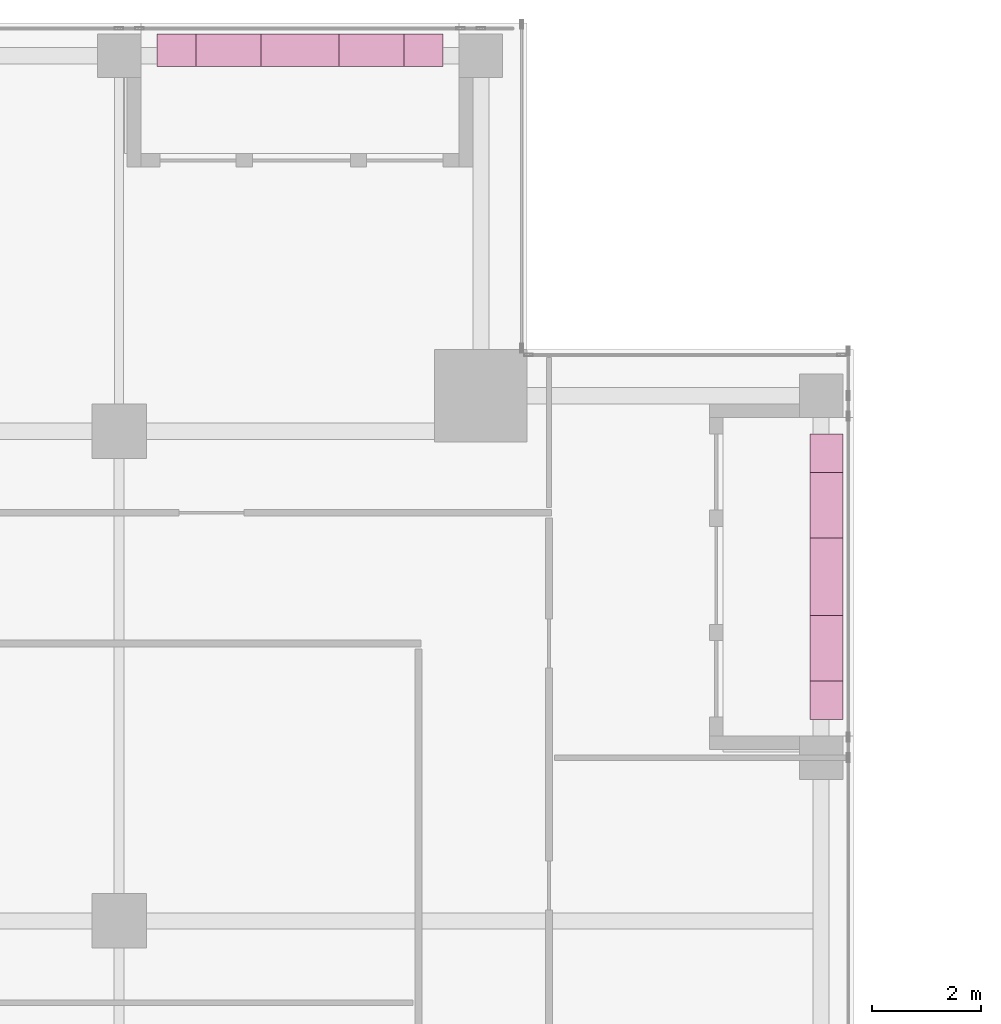
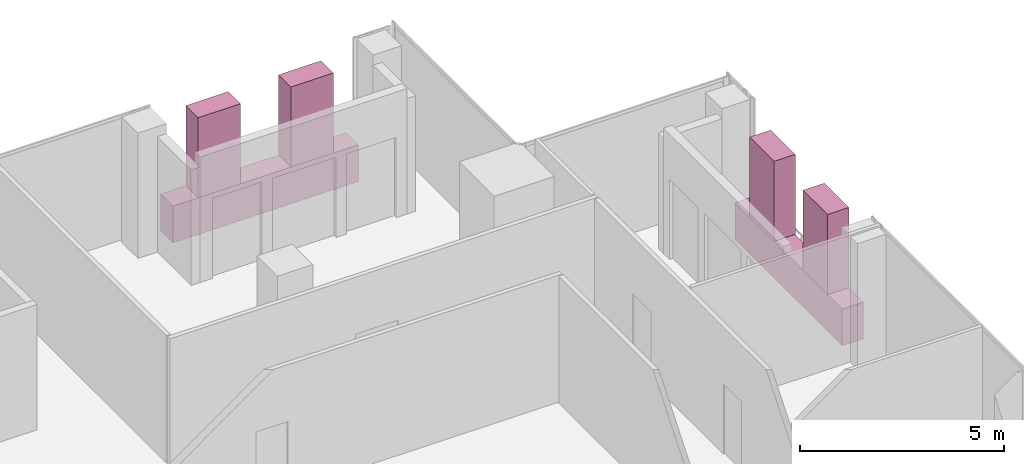
# One storey, part 28 of 28: 6 furnishings.
"""IFC4 building model written with IfcOpenShell, lengths in metres."""

from ifc_helpers import new_model, si_unit, direction, frame, origin, origin_2d, place, context, subcontext, project, spatial, rectangle, extrude, source, transform, mapped, material, type_object, element, save


model = new_model("IFC4")

# Units and contexts
model_context = context("Model", 3, precision=1e-05, world=origin(), true_north=direction((0.0, 1.0)))
body_context = subcontext(model_context, "Body", "Model", "MODEL_VIEW")
ifc_project = project(units=[si_unit("LENGTHUNIT", "METRE"), si_unit("AREAUNIT", "SQUARE_METRE"), si_unit("VOLUMEUNIT", "CUBIC_METRE"), si_unit("PLANEANGLEUNIT", "RADIAN"), si_unit("MASSUNIT", "GRAM", prefix="KILO")], contexts=[model_context])

# Site, building, storey
site_placement = place(None, origin())
site = spatial("IfcSite", under=ifc_project, at=site_placement, CompositionType="ELEMENT")
building_placement = place(site_placement, origin())
building = spatial("IfcBuilding", under=site, at=building_placement, Name="Khomas Fold Tower", CompositionType="ELEMENT")
storey_placement = place(building_placement, frame((0.0, 0.0, 298.199951171875)))
storey = spatial("IfcBuildingStorey", under=building, at=storey_placement, Name="L67", CompositionType="ELEMENT", Elevation=298.199951171875)

# Furnishings
ifc_material_1 = material(Name="Planting")
furnishing_element_type_1 = type_object("IfcFurnishingElementType", Name="BL-Tree Shepherd's tree", material=ifc_material_1)
shared_shape_1 = source(origin(), body_context, "Body", "SweptSolid", [
    extrude(rectangle(XDim=1.199951171875, YDim=0.60009765625, at=origin_2d()), origin(), (0.0, 0.0, 1.0), 2.39501953125),
])
furnishing_1_placement = place(storey_placement, frame((36.512451171875, 47.5, 1.054931640625), z_axis=(0.0, 0.0, 1.0), x_axis=(1.0, 0.0, 0.0)))
element("IfcFurnishingElement", 1, at=furnishing_1_placement, inside=storey, type_object=furnishing_element_type_1, Name="PLANTER (TREE) Shepherd's tree BAL-L67-N4-1", context=body_context, shape_type="MappedRepresentation", body=[
    mapped(shared_shape_1, transform((0.0, 0.0, 0.0))),
])
ifc_material_2 = material(Name="Planting")
furnishing_element_type_2 = type_object("IfcFurnishingElementType", Name="BL-Tree Karee", material=ifc_material_2)
furnishing_2_placement = place(storey_placement, frame((39.137451171875, 47.5, 1.054931640625), z_axis=(0.0, 0.0, 1.0), x_axis=(1.0, 0.0, 0.0)))
element("IfcFurnishingElement", 2, at=furnishing_2_placement, inside=storey, type_object=furnishing_element_type_2, Name="PLANTER (TREE) Karee BAL-L67-N4-2", context=body_context, shape_type="MappedRepresentation", body=[
    mapped(shared_shape_1, transform((0.0, 0.0, 0.0))),
])
furnishing_3_placement = place(storey_placement, frame((47.5, 36.512451171875, 1.054931640625), z_axis=(0.0, 0.0, 1.0), x_axis=(0.0, 1.0, 0.0)))
element("IfcFurnishingElement", 3, at=furnishing_3_placement, inside=storey, type_object=furnishing_element_type_1, Name="PLANTER (TREE) Shepherd's tree BAL-L67-E4-1", context=body_context, shape_type="MappedRepresentation", body=[
    mapped(shared_shape_1, transform((0.0, 0.0, 0.0))),
])
furnishing_4_placement = place(storey_placement, frame((47.5, 39.137451171875, 1.054931640625), z_axis=(0.0, 0.0, 1.0), x_axis=(0.0, 1.0, 0.0)))
element("IfcFurnishingElement", 4, at=furnishing_4_placement, inside=storey, type_object=furnishing_element_type_2, Name="PLANTER (TREE) Karee BAL-L67-E4-2", context=body_context, shape_type="MappedRepresentation", body=[
    mapped(shared_shape_1, transform((0.0, 0.0, 0.0))),
])
ifc_material_3 = material(Name="Precast concrete C40/50", Category="concrete")
furnishing_element_type_3 = type_object("IfcFurnishingElementType", Name="BL-Structural planter box", material=ifc_material_3)
shared_shape_2 = source(origin(), body_context, "Body", "SweptSolid", [
    extrude(rectangle(XDim=5.25, YDim=0.60009765625, at=origin_2d()), origin(), (0.0, 0.0, 1.0), 1.10009765625),
])
for number, where, z_axis, x_axis, name in (
    (5, (37.824951171875, 47.5, -0.044921875), (0.0, 0.0, 1.0), (1.0, 0.0, 0.0), "PLANTER BAL-L67-N4"),
    (6, (47.5, 37.824951171875, -0.044921875), (0.0, 0.0, 1.0), (0.0, 1.0, 0.0), "PLANTER BAL-L67-E4"),
):
    element("IfcFurnishingElement", number, at=place(storey_placement, frame(where, z_axis=z_axis, x_axis=x_axis)), inside=storey, type_object=furnishing_element_type_3, Name=name, context=body_context, shape_type="MappedRepresentation", body=[
        mapped(shared_shape_2, transform((0.0, 0.0, 0.0))),
    ])

save(model, "model.ifc")
